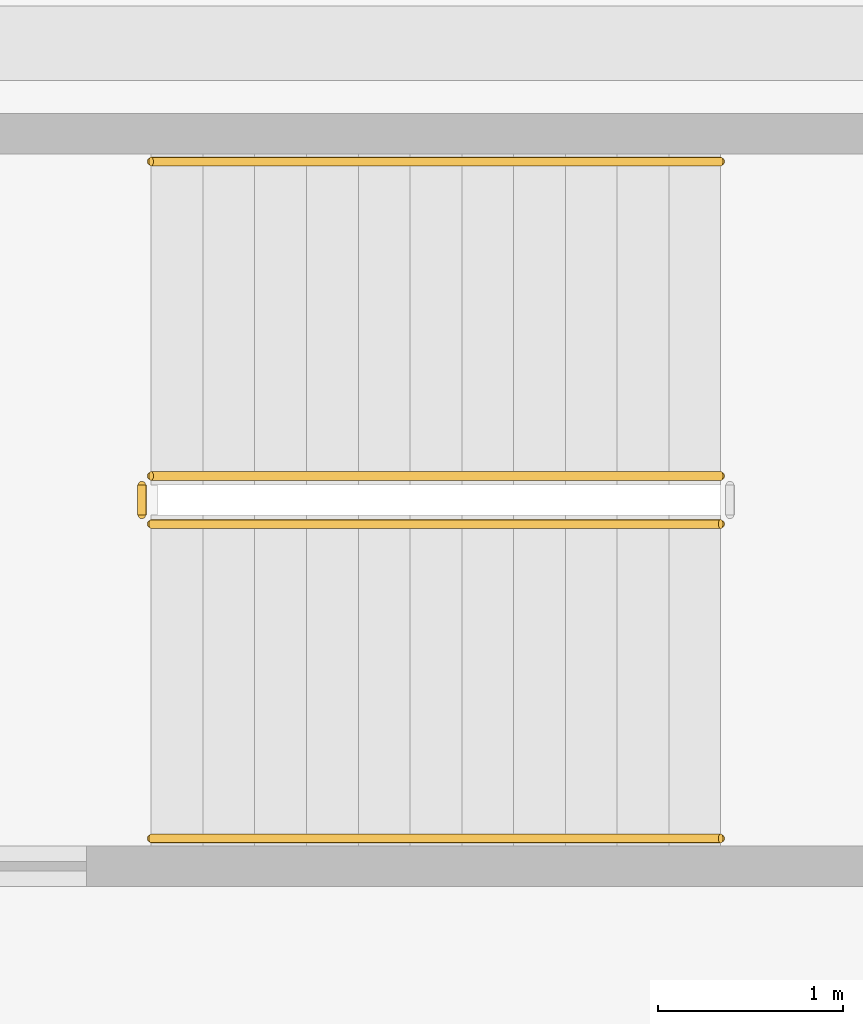
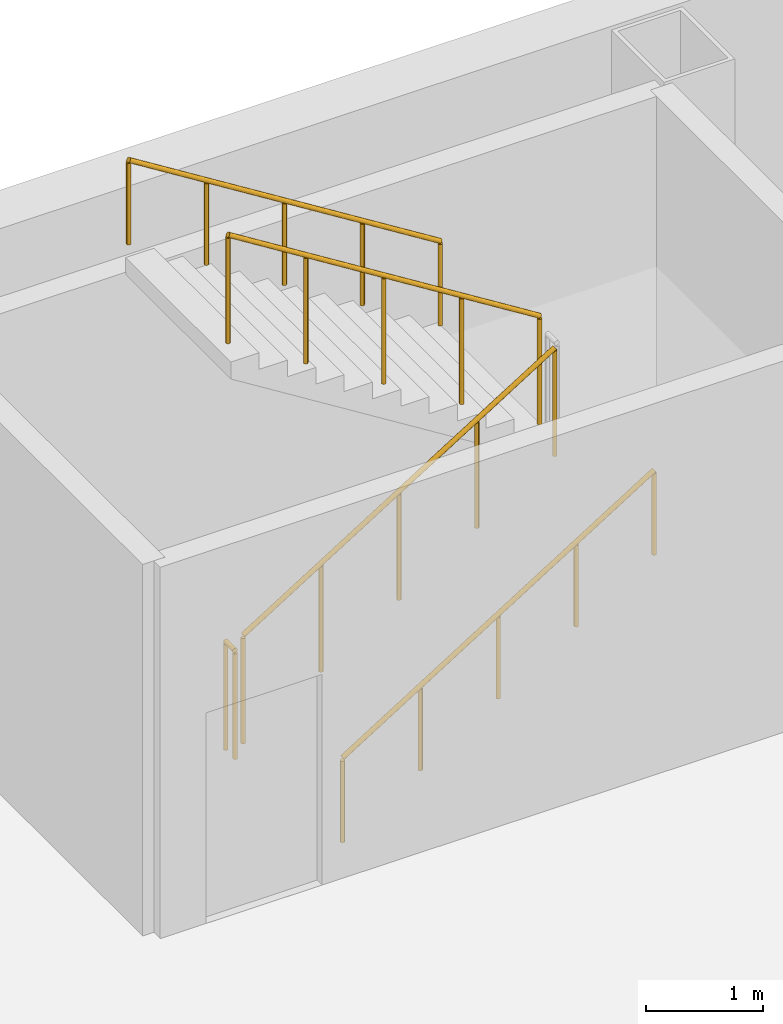
# One storey, part 14 of 16: 5 railings.
"""IFC4 building model written with IfcOpenShell, lengths in metres."""

from ifc_helpers import new_model, si_unit, direction, frame, origin, origin_2d, place, context, subcontext, project, spatial, circle, extrude, material, type_object, element, save


model = new_model("IFC4")

# Units and contexts
model_context = context("Model", 3, precision=1e-05, world=origin(), true_north=direction((0.0, 1.0)))
body_context = subcontext(model_context, "Body", "Model", "MODEL_VIEW")
ifc_project = project(units=[si_unit("LENGTHUNIT", "METRE"), si_unit("AREAUNIT", "SQUARE_METRE"), si_unit("VOLUMEUNIT", "CUBIC_METRE"), si_unit("PLANEANGLEUNIT", "RADIAN"), si_unit("MASSUNIT", "GRAM", prefix="KILO")], contexts=[model_context])

# Site, building, storey
site_placement = place(None, origin())
site = spatial("IfcSite", under=ifc_project, at=site_placement, CompositionType="ELEMENT")
building_placement = place(site_placement, origin())
building = spatial("IfcBuilding", under=site, at=building_placement, Name="Kolveth Station Tower", CompositionType="ELEMENT")
storey_placement = place(building_placement, frame((0.0, 0.0, -4.199951171875)))
storey = spatial("IfcBuildingStorey", under=building, at=storey_placement, Name="B1", CompositionType="ELEMENT", Elevation=-4.199951171875)

# Railings
ifc_material_1 = material(Name="Painted Steel S355 balustrade", Category="steel")
railing_type_1 = type_object("IfcRailingType", Name="Guard_GR2", PredefinedType="BALUSTRADE", material=ifc_material_1)
railing_1_placement = place(storey_placement, frame((57.75, 37.14990234375, 0.175048828125)))
element("IfcRailing", 1, at=railing_1_placement, inside=storey, type_object=railing_type_1, Name="B1 ST3 stair guard 1", PredefinedType="BALUSTRADE", context=body_context, shape_type="SweptSolid", body=[
    extrude(circle(Radius=0.02392578125, at=origin_2d()), frame((0.0, 0.0, 1.1259765625), z_axis=(0.848028513186, 0.0, 0.529950602248), x_axis=(0.0, 1.0, 0.0)), (0.0, 0.0, 1.0), 3.632080078125),
    extrude(circle(Radius=0.02099609375, at=origin_2d()), origin(), (0.0, 0.0, 1.0), 1.101806640625),
    extrude(circle(Radius=0.02099609375, at=origin_2d()), frame((0.77001953125, 0.0, 0.481201171875)), (0.0, 0.0, 1.0), 1.101806640625),
    extrude(circle(Radius=0.02099609375, at=origin_2d()), frame((1.5400390625, 0.0, 0.96240234375)), (0.0, 0.0, 1.0), 1.101806640625),
    extrude(circle(Radius=0.02099609375, at=origin_2d()), frame((2.31005859375, 0.0, 1.443603515625)), (0.0, 0.0, 1.0), 1.101806640625),
    extrude(circle(Radius=0.02099609375, at=origin_2d()), frame((3.080078125, 0.0, 1.9248046875)), (0.0, 0.0, 1.0), 1.101806640625),
])
railing_2_placement = place(storey_placement, frame((60.830078125, 37.409912109375, 2.27490234375)))
element("IfcRailing", 2, at=railing_2_placement, inside=storey, type_object=railing_type_1, Name="B1 ST3 stair guard 3", PredefinedType="BALUSTRADE", context=body_context, shape_type="SweptSolid", body=[
    extrude(circle(Radius=0.02392578125, at=origin_2d()), frame((0.0, 0.0, 1.1259765625), z_axis=(-0.847998304005, 0.0, 0.529998940003), x_axis=(0.0, -1.0, 0.0)), (0.0, 0.0, 1.0), 3.632080078125),
    extrude(circle(Radius=0.02099609375, at=origin_2d()), origin(), (0.0, 0.0, 1.0), 1.101806640625),
    extrude(circle(Radius=0.02099609375, at=origin_2d()), frame((-0.77001953125, 0.0, 0.481201171875)), (0.0, 0.0, 1.0), 1.101806640625),
    extrude(circle(Radius=0.02099609375, at=origin_2d()), frame((-1.5400390625, 0.0, 0.96240234375)), (0.0, 0.0, 1.0), 1.101806640625),
    extrude(circle(Radius=0.02099609375, at=origin_2d()), frame((-2.31005859375, 0.0, 1.44384765625)), (0.0, 0.0, 1.0), 1.101806640625),
    extrude(circle(Radius=0.02099609375, at=origin_2d()), frame((-3.080078125, 0.0, 1.925048828125)), (0.0, 0.0, 1.0), 1.101806640625),
])
railing_3_placement = place(storey_placement, frame((57.699951171875, 37.199951171875, 0.0)))
element("IfcRailing", 3, at=railing_3_placement, inside=storey, type_object=railing_type_1, Name="B1 ST3 stair guard 4", PredefinedType="BALUSTRADE", context=body_context, shape_type="SweptSolid", body=[
    extrude(circle(Radius=0.02392578125, at=origin_2d()), frame((0.0, 0.0, 1.1259765625), z_axis=(0.0, 1.0, 0.0), x_axis=(-1.0, 0.0, 0.0)), (0.0, 0.0, 1.0), 0.16015625),
    extrude(circle(Radius=0.02099609375, at=origin_2d()), origin(), (0.0, 0.0, 1.0), 1.101806640625),
    extrude(circle(Radius=0.02099609375, at=origin_2d()), frame((0.0, 0.16015625, 0.0)), (0.0, 0.0, 1.0), 1.101806640625),
])
ifc_material_2 = material(Name="Brushed stainless steel", Category="steel")
railing_type_2 = type_object("IfcRailingType", Name="Handrail_HR1", PredefinedType="HANDRAIL", material=ifc_material_2)
railing_4_placement = place(storey_placement, frame((57.75, 35.449951171875, 0.175048828125)))
element("IfcRailing", 4, at=railing_4_placement, inside=storey, type_object=railing_type_2, Name="B1 ST3 stair handrail 1", PredefinedType="HANDRAIL", context=body_context, shape_type="SweptSolid", body=[
    extrude(circle(Radius=0.02392578125, at=origin_2d()), frame((0.0, 0.0, 0.8759765625), z_axis=(0.848028513186, 0.0, 0.529950602248), x_axis=(0.0, 1.0, 0.0)), (0.0, 0.0, 1.0), 3.632080078125),
    extrude(circle(Radius=0.02099609375, at=origin_2d()), origin(), (0.0, 0.0, 1.0), 0.851806640625),
    extrude(circle(Radius=0.02099609375, at=origin_2d()), frame((0.77001953125, 0.0, 0.481201171875)), (0.0, 0.0, 1.0), 0.851806640625),
    extrude(circle(Radius=0.02099609375, at=origin_2d()), frame((1.5400390625, 0.0, 0.96240234375)), (0.0, 0.0, 1.0), 0.851806640625),
    extrude(circle(Radius=0.02099609375, at=origin_2d()), frame((2.31005859375, 0.0, 1.443603515625)), (0.0, 0.0, 1.0), 0.851806640625),
    extrude(circle(Radius=0.02099609375, at=origin_2d()), frame((3.080078125, 0.0, 1.9248046875)), (0.0, 0.0, 1.0), 0.851806640625),
])
railing_5_placement = place(storey_placement, frame((60.830078125, 39.110107421875, 2.27490234375)))
element("IfcRailing", 5, at=railing_5_placement, inside=storey, type_object=railing_type_2, Name="B1 ST3 stair handrail 2", PredefinedType="HANDRAIL", context=body_context, shape_type="SweptSolid", body=[
    extrude(circle(Radius=0.02392578125, at=origin_2d()), frame((0.0, 0.0, 0.8759765625), z_axis=(-0.847998304005, 0.0, 0.529998940003), x_axis=(0.0, -1.0, 0.0)), (0.0, 0.0, 1.0), 3.632080078125),
    extrude(circle(Radius=0.02099609375, at=origin_2d()), origin(), (0.0, 0.0, 1.0), 0.851806640625),
    extrude(circle(Radius=0.02099609375, at=origin_2d()), frame((-0.77001953125, 0.0, 0.481201171875)), (0.0, 0.0, 1.0), 0.851806640625),
    extrude(circle(Radius=0.02099609375, at=origin_2d()), frame((-1.5400390625, 0.0, 0.96240234375)), (0.0, 0.0, 1.0), 0.851806640625),
    extrude(circle(Radius=0.02099609375, at=origin_2d()), frame((-2.31005859375, 0.0, 1.44384765625)), (0.0, 0.0, 1.0), 0.851806640625),
    extrude(circle(Radius=0.02099609375, at=origin_2d()), frame((-3.080078125, 0.0, 1.925048828125)), (0.0, 0.0, 1.0), 0.851806640625),
])

save(model, "model.ifc")
